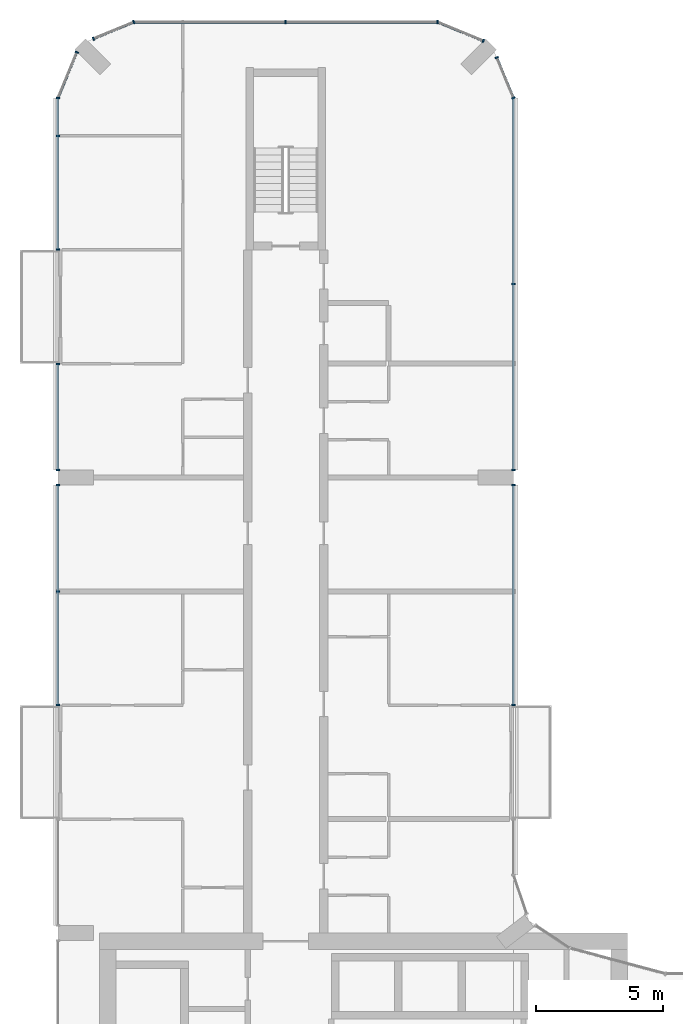
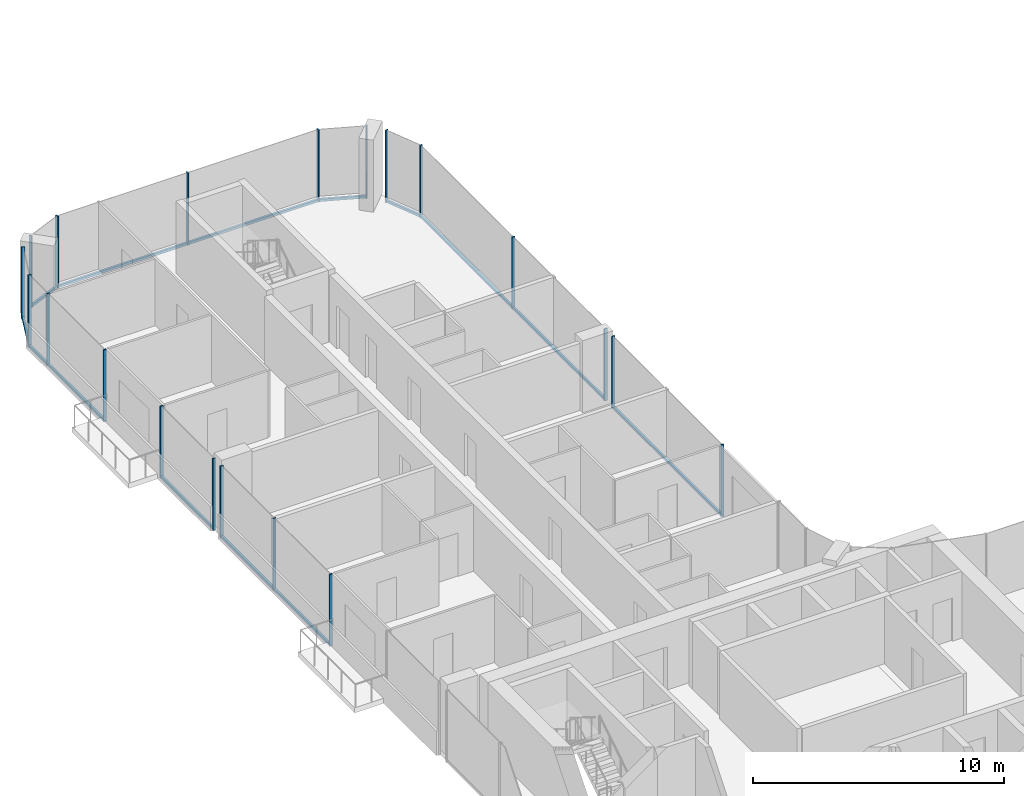
# One storey, part 6 of 22: 30 members, 10 elements without a shape of their own.
"""IFC4 building model written with IfcOpenShell, lengths in metres."""

import ifcopenshell
import ifcopenshell.guid

model = None  # the IFC model being written
_history = None  # IfcOwnerHistory: only IFC2X3 demands one
_inside = {}  # id of a spatial element -> (the spatial element, [elements in it])
_under = {}  # id of a project, library or spatial element -> (it, [spatial elements below it])
_declared = {}  # id of a project -> (the project, [libraries it declares])
_typed = {}  # id of a type object -> (the type object, [elements of that type])
_made_of = {}  # id of a material, layer set ... -> (it, [elements and type objects made of it])


def new_model(schema):
    """Start an empty IFC model of exactly this schema.

    Asked for "IFC4X3", IfcOpenShell would pick the latest addendum, in which some entities
    have other attributes; the version numbers below select the first issue.
    IFC2X3 requires an IfcOwnerHistory on every rooted entity: one is made here for all.
    """
    global model, _history
    if schema == "IFC4X3":
        model = ifcopenshell.file(schema_version=(4, 3, 0, 0))
    else:
        model = ifcopenshell.file(schema=schema)
    _inside.clear()
    _under.clear()
    _declared.clear()
    _typed.clear()
    _made_of.clear()
    _history = None
    if model.schema == "IFC2X3":
        org = make("IfcOrganization", Name="unknown")
        user = make(
            "IfcPersonAndOrganization",
            ThePerson=make("IfcPerson", FamilyName="unknown"),
            TheOrganization=org,
        )
        app = make(
            "IfcApplication",
            ApplicationDeveloper=org,
            Version="unknown",
            ApplicationFullName="unknown",
            ApplicationIdentifier="unknown",
        )
        _history = make(
            "IfcOwnerHistory",
            OwningUser=user,
            OwningApplication=app,
            ChangeAction="ADDED",
            CreationDate=0,
        )
    return model


def make(cls, **values):
    """One entity of the class cls with the attributes given. An attribute that is None is left unset."""
    return model.create_entity(
        cls, **{name: value for name, value in values.items() if value is not None}
    )


def rooted(cls, **values):
    """An entity with a GlobalId (a new one), such as an element, a storey or a relation."""
    return make(cls, GlobalId=ifcopenshell.guid.new(), OwnerHistory=_history, **values)


def si_unit(unit_type, name, prefix=None):
    """IfcSIUnit, for example si_unit("LENGTHUNIT", "METRE", prefix="MILLI")."""
    return make("IfcSIUnit", UnitType=unit_type, Prefix=prefix, Name=name)


def assignment(units):
    """IfcUnitAssignment: the units of a project."""
    return None if units is None else make("IfcUnitAssignment", Units=units)


def point(xyz):
    """IfcCartesianPoint."""
    return None if xyz is None else make("IfcCartesianPoint", Coordinates=xyz)


def direction(xyz):
    """IfcDirection."""
    return None if xyz is None else make("IfcDirection", DirectionRatios=xyz)


def frame(location, z_axis=None, x_axis=None):
    """IfcAxis2Placement3D, a coordinate frame: its origin and axes. An axis left out is left unset."""
    return make(
        "IfcAxis2Placement3D",
        Location=point(location),
        Axis=direction(z_axis),
        RefDirection=direction(x_axis),
    )


def frame_2d(location, x_axis=None):
    """IfcAxis2Placement2D, a coordinate frame in the plane: its origin and x axis."""
    return make(
        "IfcAxis2Placement2D", Location=point(location), RefDirection=direction(x_axis)
    )


def origin():
    """The frame at (0, 0, 0) with its axes left unset."""
    return frame((0.0, 0.0, 0.0))


def origin_2d():
    """The frame at (0, 0) in the plane with its x axis left unset."""
    return frame_2d((0.0, 0.0))


def place(relative_to, where):
    """IfcLocalPlacement: puts the frame where relative to a parent placement (None: the world)."""
    return make(
        "IfcLocalPlacement", PlacementRelTo=relative_to, RelativePlacement=where
    )


def context(
    kind, dimensions, precision=None, world=None, true_north=None, identifier=None
):
    """IfcGeometricRepresentationContext, for example the 3D "Model" context."""
    return make(
        "IfcGeometricRepresentationContext",
        ContextIdentifier=identifier,
        ContextType=kind,
        CoordinateSpaceDimension=dimensions,
        Precision=precision,
        WorldCoordinateSystem=world,
        TrueNorth=true_north,
    )


def subcontext(parent, identifier, kind, view, scale=None):
    """IfcGeometricRepresentationSubContext, for example "Body" below "Model"."""
    return make(
        "IfcGeometricRepresentationSubContext",
        ContextIdentifier=identifier,
        ContextType=kind,
        ParentContext=parent,
        TargetScale=scale,
        TargetView=view,
    )


def project(units=None, contexts=None):
    """IfcProject with its units and contexts."""
    return rooted(
        "IfcProject",
        Name="project",
        RepresentationContexts=contexts,
        UnitsInContext=assignment(units),
    )


def spatial(cls, under=None, at=None, **own):
    """A site, building, storey or space (cls), placed at a placement, below another one or the project."""
    s = rooted(cls, ObjectPlacement=at, **own)
    if under is not None:
        _under.setdefault(under.id(), (under, []))[1].append(s)
    return s


def profile(cls, at=None, kind="AREA", **sizes):
    """A parametric profile (cls). Its sizes go by their IFC names, for example OverallWidth=200.0."""
    return make(cls, ProfileType=kind, Position=at, **sizes)


def rectangle(**sizes):
    """IfcRectangleProfileDef."""
    return profile("IfcRectangleProfileDef", **sizes)


def extrude(swept, where, along, depth):
    """IfcExtrudedAreaSolid: the profile swept, set in the frame where, extruded along a direction by depth."""
    return make(
        "IfcExtrudedAreaSolid",
        SweptArea=swept,
        Position=where,
        ExtrudedDirection=direction(along),
        Depth=depth,
    )


def shape(context_of_items, identifier, shape_type, items):
    """IfcShapeRepresentation: the items that make up one representation, for example the "Body"."""
    return make(
        "IfcShapeRepresentation",
        ContextOfItems=context_of_items,
        RepresentationIdentifier=identifier,
        RepresentationType=shape_type,
        Items=items,
    )


def material(Name=None, Category=None):
    """IfcMaterial."""
    return make("IfcMaterial", Name=Name, Category=Category)


def layer(
    of_material, thickness, ventilated=None, Name=None, Category=None, Priority=None
):
    """IfcMaterialLayer: one layer of a wall or slab, of a material (None: an air gap)."""
    return make(
        "IfcMaterialLayer",
        Material=of_material,
        LayerThickness=thickness,
        IsVentilated=ventilated,
        Name=Name,
        Category=Category,
        Priority=Priority,
    )


def layer_set(layers, Name=None):
    """IfcMaterialLayerSet."""
    return make("IfcMaterialLayerSet", MaterialLayers=layers, LayerSetName=Name)


def material_profile(
    of_material, cross_section, Name=None, Category=None, Priority=None
):
    """IfcMaterialProfile: a cross section and its material."""
    return make(
        "IfcMaterialProfile",
        Name=Name,
        Material=of_material,
        Profile=cross_section,
        Priority=Priority,
        Category=Category,
    )


def profile_set(profiles, Name=None, composite=None):
    """IfcMaterialProfileSet."""
    return make(
        "IfcMaterialProfileSet",
        Name=Name,
        MaterialProfiles=profiles,
        CompositeProfile=composite,
    )


def made_of(thing, what):
    """Note that an element or type object is made of a material, layer set ...; save() writes the relation."""
    if what is not None:
        _made_of.setdefault(what.id(), (what, []))[1].append(thing)
    return thing


def type_object(cls, material=None, **own):
    """A type object (cls), such as IfcWallType, which elements share."""
    return made_of(rooted(cls, **own), material)


def element(
    cls,
    number,
    at=None,
    inside=None,
    cuts=None,
    type_object=None,
    material=None,
    context=None,
    identifier="Body",
    shape_type=None,
    held_by="IfcProductDefinitionShape",
    body=None,
    shapes=None,
    **own,
):
    """One element of the class cls, such as IfcWall. Its Tag is "e" and its number.

    at: its placement. inside: the storey or other place that contains it. cuts: it is an
    opening in that element (IfcRelVoidsElement). A single representation is given by context,
    identifier, shape_type and body (its items); several are given by shapes. held_by: the class
    of the entity that holds the representations. save() writes the other relations.
    """
    e = rooted(cls, Tag="e%d" % number, ObjectPlacement=at, **own)
    if body is not None:
        shapes = [shape(context, identifier, shape_type, body)]
    if shapes is not None:
        e.Representation = make(held_by, Representations=shapes)
    if inside is not None:
        _inside.setdefault(inside.id(), (inside, []))[1].append(e)
    if cuts is not None:
        rooted(
            "IfcRelVoidsElement", RelatingBuildingElement=cuts, RelatedOpeningElement=e
        )
    if type_object is not None:
        _typed.setdefault(type_object.id(), (type_object, []))[1].append(e)
    return made_of(e, material)


def aggregate(whole, parts):
    """IfcRelAggregates: a whole, such as a stair, and the parts it consists of."""
    return rooted("IfcRelAggregates", RelatingObject=whole, RelatedObjects=parts)


def save(model, path):
    """Write the relations noted so far, then the file.

    IfcRelAggregates (storeys below a building ...), IfcRelContainedInSpatialStructure (elements
    in a storey), IfcRelDefinesByType, IfcRelAssociatesMaterial and IfcRelDeclares: one each for
    every whole, place, type object, material and project.
    """
    for whole, parts in _under.values():
        aggregate(whole, parts)
    for where, things in _inside.values():
        rooted(
            "IfcRelContainedInSpatialStructure",
            RelatedElements=things,
            RelatingStructure=where,
        )
    for kind, things in _typed.values():
        rooted("IfcRelDefinesByType", RelatedObjects=things, RelatingType=kind)
    for what, things in _made_of.values():
        rooted("IfcRelAssociatesMaterial", RelatedObjects=things, RelatingMaterial=what)
    for by, libraries in _declared.values():
        rooted("IfcRelDeclares", RelatingContext=by, RelatedDefinitions=libraries)
    model.write(path)


model = new_model("IFC4")

# Units and contexts
model_context = context("Model", 3, precision=1e-05, world=origin(), true_north=direction((0.0, 1.0)))
body_context = subcontext(model_context, "Body", "Model", "MODEL_VIEW")
ifc_project = project(units=[si_unit("LENGTHUNIT", "METRE"), si_unit("AREAUNIT", "SQUARE_METRE"), si_unit("VOLUMEUNIT", "CUBIC_METRE"), si_unit("PLANEANGLEUNIT", "RADIAN"), si_unit("MASSUNIT", "GRAM", prefix="KILO")], contexts=[model_context])

# Site, building, storey
site_placement = place(None, origin())
site = spatial("IfcSite", under=ifc_project, at=site_placement, CompositionType="ELEMENT")
building_placement = place(site_placement, origin())
building = spatial("IfcBuilding", under=site, at=building_placement, Name="Plateau Cross Towers", CompositionType="ELEMENT")
storey_placement = place(building_placement, frame((0.0, 0.0, 109.800048828125)))
storey = spatial("IfcBuildingStorey", under=building, at=storey_placement, Name="L28", CompositionType="ELEMENT", Elevation=109.800048828125)

# Curtain wall, members
ifc_material_1 = material(Name="Dark low-iron glass", Category="glass")
ifc_layer = layer(ifc_material_1, 0.239990234375)
ifc_layer_set = layer_set([ifc_layer], Name="Dark low-iron glass")
curtain_wall_type = type_object("IfcCurtainWallType", Name="Curtain wall flush unitised CW-B", PredefinedType="NOTDEFINED", material=ifc_layer_set)
curtain_wall_1_placement = place(storey_placement, origin())
curtain_wall_1 = element("IfcCurtainWall", 1, at=curtain_wall_1_placement, inside=storey, type_object=curtain_wall_type, Name="ENV/A/L28/A180_270", PredefinedType="NOTDEFINED")
ifc_material_2 = material(Name="Black anodised aluminium", Category="aluminium")
ifc_material_profile_1 = material_profile(ifc_material_2, rectangle(XDim=0.06005859375, YDim=0.139892578125, at=origin_2d()), Name="MULLION 60x140")
ifc_profile_set_1 = profile_set([ifc_material_profile_1], Name="Black anodised aluminium")
member_type_1 = type_object("IfcMemberType", Name="Mullion 60x140 flush unitised", PredefinedType="MULLION", material=ifc_profile_set_1)
member_1_placement = place(storey_placement, frame((18.0, 27.010009765625, -0.25), z_axis=(0.0, 0.0, 1.0), x_axis=(0.0, 1.0, 0.0)))
member_1 = element("IfcMember", 2, at=member_1_placement, type_object=member_type_1, Name="CW-B mullion 1", PredefinedType="MULLION", context=body_context, shape_type="SweptSolid", body=[
    extrude(rectangle(XDim=0.06005859375, YDim=0.139892578125, at=origin_2d()), origin(), (0.0, 0.0, 1.0), 3.5),
])
member_2_placement = place(storey_placement, frame((18.0, 35.699951171875, -0.25), z_axis=(0.0, 0.0, 1.0), x_axis=(0.0, 1.0, 0.0)))
member_2 = element("IfcMember", 3, at=member_2_placement, type_object=member_type_1, Name="CW-B mullion 2", PredefinedType="MULLION", context=body_context, shape_type="SweptSolid", body=[
    extrude(rectangle(XDim=0.06005859375, YDim=0.139892578125, at=origin_2d()), origin(), (0.0, 0.0, 1.0), 3.5),
])

curtain_wall_2_placement = place(storey_placement, origin())
curtain_wall_2 = element("IfcCurtainWall", 4, at=curtain_wall_2_placement, inside=storey, type_object=curtain_wall_type, Name="ENV/A/L28/A180_363", PredefinedType="NOTDEFINED")
member_3_placement = place(storey_placement, frame((18.0, 36.300048828125, -0.25), z_axis=(0.0, 0.0, 1.0), x_axis=(0.0, 1.0, 0.0)))
member_3 = element("IfcMember", 5, at=member_3_placement, type_object=member_type_1, Name="CW-B mullion 1", PredefinedType="MULLION", context=body_context, shape_type="SweptSolid", body=[
    extrude(rectangle(XDim=0.06005859375, YDim=0.139892578125, at=origin_2d()), origin(), (0.0, 0.0, 1.0), 3.5),
])
member_4_placement = place(storey_placement, frame((18.0, 43.64990234375, -0.25), z_axis=(0.0, 0.0, 1.0), x_axis=(0.0, 1.0, 0.0)))
member_4 = element("IfcMember", 6, at=member_4_placement, type_object=member_type_1, Name="CW-B mullion 2", PredefinedType="MULLION", context=body_context, shape_type="SweptSolid", body=[
    extrude(rectangle(XDim=0.06005859375, YDim=0.139892578125, at=origin_2d()), origin(), (0.0, 0.0, 1.0), 3.5),
])

curtain_wall_3_placement = place(storey_placement, origin())
curtain_wall_3 = element("IfcCurtainWall", 7, at=curtain_wall_3_placement, inside=storey, type_object=curtain_wall_type, Name="ENV/A/L28/A180_510", PredefinedType="NOTDEFINED")
member_5_placement = place(storey_placement, frame((18.0, 51.0, -0.25), z_axis=(0.0, 0.0, 1.0), x_axis=(-0.382683612978, 0.923879457699, 0.0)))
member_5 = element("IfcMember", 8, at=member_5_placement, type_object=member_type_1, Name="CW-B mullion 1", PredefinedType="MULLION", context=body_context, shape_type="SweptSolid", body=[
    extrude(rectangle(XDim=0.06005859375, YDim=0.139892578125, at=origin_2d()), origin(), (0.0, 0.0, 1.0), 3.5),
])
member_6_placement = place(storey_placement, frame((17.338623046875, 52.5966796875, -0.25), z_axis=(0.0, 0.0, 1.0), x_axis=(-0.382683612978, 0.923879457699, 0.0)))
member_6 = element("IfcMember", 9, at=member_6_placement, type_object=member_type_1, Name="CW-B mullion 2", PredefinedType="MULLION", context=body_context, shape_type="SweptSolid", body=[
    extrude(rectangle(XDim=0.06005859375, YDim=0.139892578125, at=origin_2d()), origin(), (0.0, 0.0, 1.0), 3.5),
])

# Curtain wall, member
curtain_wall_4_placement = place(storey_placement, origin())
curtain_wall_4 = element("IfcCurtainWall", 10, at=curtain_wall_4_placement, inside=storey, type_object=curtain_wall_type, Name="ENV/A/L28/A168_533", PredefinedType="NOTDEFINED")
member_7_placement = place(storey_placement, frame((16.805908203125, 53.251953125, -0.25), z_axis=(0.0, 0.0, 1.0), x_axis=(-0.923879457699, 0.382683612978, 0.0)))
member_7 = element("IfcMember", 11, at=member_7_placement, type_object=member_type_1, Name="CW-B mullion 1", PredefinedType="MULLION", context=body_context, shape_type="SweptSolid", body=[
    extrude(rectangle(XDim=0.06005859375, YDim=0.139892578125, at=origin_2d()), origin(), (0.0, 0.0, 1.0), 3.5),
])

# Curtain wall, members
curtain_wall_5_placement = place(storey_placement, origin())
curtain_wall_5 = element("IfcCurtainWall", 12, at=curtain_wall_5_placement, inside=storey, type_object=curtain_wall_type, Name="ENV/A/L28/A150_540", PredefinedType="NOTDEFINED")
member_8_placement = place(storey_placement, frame((15.0, 54.0, -0.25), z_axis=(0.0, 0.0, 1.0), x_axis=(-1.0, 0.0, 0.0)))
member_8 = element("IfcMember", 13, at=member_8_placement, type_object=member_type_1, Name="CW-B mullion 1", PredefinedType="MULLION", context=body_context, shape_type="SweptSolid", body=[
    extrude(rectangle(XDim=0.06005859375, YDim=0.139892578125, at=origin_2d()), origin(), (0.0, 0.0, 1.0), 3.5),
])
member_9_placement = place(storey_placement, frame((9.0, 54.0, -0.25), z_axis=(0.0, 0.0, 1.0), x_axis=(-1.0, 0.0, 0.0)))
member_9 = element("IfcMember", 14, at=member_9_placement, type_object=member_type_1, Name="CW-B mullion 2", PredefinedType="MULLION", context=body_context, shape_type="SweptSolid", body=[
    extrude(rectangle(XDim=0.06005859375, YDim=0.139892578125, at=origin_2d()), origin(), (0.0, 0.0, 1.0), 3.5),
])

curtain_wall_6_placement = place(storey_placement, origin())
curtain_wall_6 = element("IfcCurtainWall", 15, at=curtain_wall_6_placement, inside=storey, type_object=curtain_wall_type, Name="ENV/A/L28/A30_540", PredefinedType="NOTDEFINED")
member_10_placement = place(storey_placement, frame((3.0, 54.0, -0.25), z_axis=(0.0, 0.0, 1.0), x_axis=(-0.923879457699, -0.382683612978, 0.0)))
member_10 = element("IfcMember", 16, at=member_10_placement, type_object=member_type_1, Name="CW-B mullion 1", PredefinedType="MULLION", context=body_context, shape_type="SweptSolid", body=[
    extrude(rectangle(XDim=0.06005859375, YDim=0.139892578125, at=origin_2d()), origin(), (0.0, 0.0, 1.0), 3.5),
])
member_11_placement = place(storey_placement, frame((1.4033203125, 53.338623046875, -0.25), z_axis=(0.0, 0.0, 1.0), x_axis=(-0.923879457699, -0.382683612978, 0.0)))
member_11 = element("IfcMember", 17, at=member_11_placement, type_object=member_type_1, Name="CW-B mullion 2", PredefinedType="MULLION", context=body_context, shape_type="SweptSolid", body=[
    extrude(rectangle(XDim=0.06005859375, YDim=0.139892578125, at=origin_2d()), origin(), (0.0, 0.0, 1.0), 3.5),
])

# Curtain wall, member
curtain_wall_7_placement = place(storey_placement, origin())
curtain_wall_7 = element("IfcCurtainWall", 18, at=curtain_wall_7_placement, inside=storey, type_object=curtain_wall_type, Name="ENV/A/L28/A7_528", PredefinedType="NOTDEFINED")
member_12_placement = place(storey_placement, frame((0.748046875, 52.805908203125, -0.25), z_axis=(0.0, 0.0, 1.0), x_axis=(-0.382683612978, -0.923879457699, 0.0)))
member_12 = element("IfcMember", 19, at=member_12_placement, type_object=member_type_1, Name="CW-B mullion 1", PredefinedType="MULLION", context=body_context, shape_type="SweptSolid", body=[
    extrude(rectangle(XDim=0.06005859375, YDim=0.139892578125, at=origin_2d()), origin(), (0.0, 0.0, 1.0), 3.5),
])

# Curtain wall, members
curtain_wall_8_placement = place(storey_placement, origin())
curtain_wall_8 = element("IfcCurtainWall", 20, at=curtain_wall_8_placement, inside=storey, type_object=curtain_wall_type, Name="ENV/A/L28/A0_510", PredefinedType="NOTDEFINED")
member_13_placement = place(storey_placement, frame((0.0, 51.0, -0.25), z_axis=(0.0, 0.0, 1.0), x_axis=(0.0, -1.0, 0.0)))
member_13 = element("IfcMember", 21, at=member_13_placement, type_object=member_type_1, Name="CW-B mullion 1", PredefinedType="MULLION", context=body_context, shape_type="SweptSolid", body=[
    extrude(rectangle(XDim=0.06005859375, YDim=0.139892578125, at=origin_2d()), origin(), (0.0, 0.0, 1.0), 3.5),
])
member_14_placement = place(storey_placement, frame((0.0, 49.5, -0.25), z_axis=(0.0, 0.0, 1.0), x_axis=(0.0, -1.0, 0.0)))
member_14 = element("IfcMember", 22, at=member_14_placement, type_object=member_type_1, Name="CW-B mullion 2", PredefinedType="MULLION", context=body_context, shape_type="SweptSolid", body=[
    extrude(rectangle(XDim=0.06005859375, YDim=0.139892578125, at=origin_2d()), origin(), (0.0, 0.0, 1.0), 3.5),
])
member_15_placement = place(storey_placement, frame((0.0, 45.010009765625, -0.25), z_axis=(0.0, 0.0, 1.0), x_axis=(0.0, -1.0, 0.0)))
member_15 = element("IfcMember", 23, at=member_15_placement, type_object=member_type_1, Name="CW-B mullion 3", PredefinedType="MULLION", context=body_context, shape_type="SweptSolid", body=[
    extrude(rectangle(XDim=0.06005859375, YDim=0.139892578125, at=origin_2d()), origin(), (0.0, 0.0, 1.0), 3.5),
])

curtain_wall_9_placement = place(storey_placement, origin())
curtain_wall_9 = element("IfcCurtainWall", 24, at=curtain_wall_9_placement, inside=storey, type_object=curtain_wall_type, Name="ENV/A/L28/A0_405", PredefinedType="NOTDEFINED")
member_16_placement = place(storey_placement, frame((0.0, 40.489990234375, -0.25), z_axis=(0.0, 0.0, 1.0), x_axis=(0.0, -1.0, 0.0)))
member_16 = element("IfcMember", 25, at=member_16_placement, type_object=member_type_1, Name="CW-B mullion 1", PredefinedType="MULLION", context=body_context, shape_type="SweptSolid", body=[
    extrude(rectangle(XDim=0.06005859375, YDim=0.139892578125, at=origin_2d()), origin(), (0.0, 0.0, 1.0), 3.5),
])
member_17_placement = place(storey_placement, frame((0.0, 36.300048828125, -0.25), z_axis=(0.0, 0.0, 1.0), x_axis=(0.0, -1.0, 0.0)))
member_17 = element("IfcMember", 26, at=member_17_placement, type_object=member_type_1, Name="CW-B mullion 2", PredefinedType="MULLION", context=body_context, shape_type="SweptSolid", body=[
    extrude(rectangle(XDim=0.06005859375, YDim=0.139892578125, at=origin_2d()), origin(), (0.0, 0.0, 1.0), 3.5),
])

curtain_wall_10_placement = place(storey_placement, origin())
curtain_wall_10 = element("IfcCurtainWall", 27, at=curtain_wall_10_placement, inside=storey, type_object=curtain_wall_type, Name="ENV/A/L28/A0_357", PredefinedType="NOTDEFINED")
member_18_placement = place(storey_placement, frame((0.0, 35.699951171875, -0.25), z_axis=(0.0, 0.0, 1.0), x_axis=(0.0, -1.0, 0.0)))
member_18 = element("IfcMember", 28, at=member_18_placement, type_object=member_type_1, Name="CW-B mullion 1", PredefinedType="MULLION", context=body_context, shape_type="SweptSolid", body=[
    extrude(rectangle(XDim=0.06005859375, YDim=0.139892578125, at=origin_2d()), origin(), (0.0, 0.0, 1.0), 3.5),
])
member_19_placement = place(storey_placement, frame((0.0, 31.5, -0.25), z_axis=(0.0, 0.0, 1.0), x_axis=(0.0, -1.0, 0.0)))
member_19 = element("IfcMember", 29, at=member_19_placement, type_object=member_type_1, Name="CW-B mullion 2", PredefinedType="MULLION", context=body_context, shape_type="SweptSolid", body=[
    extrude(rectangle(XDim=0.06005859375, YDim=0.139892578125, at=origin_2d()), origin(), (0.0, 0.0, 1.0), 3.5),
])
member_20_placement = place(storey_placement, frame((0.0, 27.010009765625, -0.25), z_axis=(0.0, 0.0, 1.0), x_axis=(0.0, -1.0, 0.0)))
member_20 = element("IfcMember", 30, at=member_20_placement, type_object=member_type_1, Name="CW-B mullion 3", PredefinedType="MULLION", context=body_context, shape_type="SweptSolid", body=[
    extrude(rectangle(XDim=0.06005859375, YDim=0.139892578125, at=origin_2d()), origin(), (0.0, 0.0, 1.0), 3.5),
])

# Member
ifc_material_profile_2 = material_profile(ifc_material_2, rectangle(XDim=0.10009765625, YDim=0.1201171875, at=origin_2d()), Name="TRANSOM 100x120")
ifc_profile_set_2 = profile_set([ifc_material_profile_2], Name="Black anodised aluminium")
member_type_2 = type_object("IfcMemberType", Name="Transom 100x120 flush unitised", PredefinedType="USERDEFINED", material=ifc_profile_set_2)
member_21_placement = place(storey_placement, frame((18.0, 27.010009765625, -0.18994140625), z_axis=(0.0, 1.0, 0.0), x_axis=(-1.0, 0.0, 0.0)))
member_21 = element("IfcMember", 31, at=member_21_placement, type_object=member_type_2, Name="CW-B transom", ObjectType="TRANSOM", PredefinedType="USERDEFINED", context=body_context, shape_type="SweptSolid", body=[
    extrude(rectangle(XDim=0.10009765625, YDim=0.1201171875, at=origin_2d()), origin(), (0.0, 0.0, 1.0), 8.68994140625),
])

aggregate(curtain_wall_1, [member_1, member_2, member_21])

member_22_placement = place(storey_placement, frame((18.0, 36.300048828125, -0.18994140625), z_axis=(0.0, 1.0, 0.0), x_axis=(-1.0, 0.0, 0.0)))
member_22 = element("IfcMember", 32, at=member_22_placement, type_object=member_type_2, Name="CW-B transom", ObjectType="TRANSOM", PredefinedType="USERDEFINED", context=body_context, shape_type="SweptSolid", body=[
    extrude(rectangle(XDim=0.10009765625, YDim=0.1201171875, at=origin_2d()), origin(), (0.0, 0.0, 1.0), 14.699951171875),
])

aggregate(curtain_wall_2, [member_3, member_4, member_22])

member_23_placement = place(storey_placement, frame((18.0, 51.0, -0.18994140625), z_axis=(-0.382688653628, 0.923877369776, 0.0), x_axis=(-0.923877369776, -0.382688653628, 0.0)))
member_23 = element("IfcMember", 33, at=member_23_placement, type_object=member_type_2, Name="CW-B transom", ObjectType="TRANSOM", PredefinedType="USERDEFINED", context=body_context, shape_type="SweptSolid", body=[
    extrude(rectangle(XDim=0.10009765625, YDim=0.1201171875, at=origin_2d()), origin(), (0.0, 0.0, 1.0), 1.728271484375),
])

aggregate(curtain_wall_3, [member_5, member_6, member_23])

member_24_placement = place(storey_placement, frame((16.805908203125, 53.251953125, -0.18994140625), z_axis=(-0.92387678234, 0.382690071798, 0.0), x_axis=(-0.382690071798, -0.92387678234, 0.0)))
member_24 = element("IfcMember", 34, at=member_24_placement, type_object=member_type_2, Name="CW-B transom", ObjectType="TRANSOM", PredefinedType="USERDEFINED", context=body_context, shape_type="SweptSolid", body=[
    extrude(rectangle(XDim=0.10009765625, YDim=0.1201171875, at=origin_2d()), origin(), (0.0, 0.0, 1.0), 1.95458984375),
])

aggregate(curtain_wall_4, [member_7, member_24])

member_25_placement = place(storey_placement, frame((15.0, 54.0, -0.18994140625), z_axis=(-1.0, 0.0, 0.0), x_axis=(0.0, -1.0, 0.0)))
member_25 = element("IfcMember", 35, at=member_25_placement, type_object=member_type_2, Name="CW-B transom", ObjectType="TRANSOM", PredefinedType="USERDEFINED", context=body_context, shape_type="SweptSolid", body=[
    extrude(rectangle(XDim=0.10009765625, YDim=0.1201171875, at=origin_2d()), origin(), (0.0, 0.0, 1.0), 12.0),
])

aggregate(curtain_wall_5, [member_8, member_9, member_25])

member_26_placement = place(storey_placement, frame((3.0, 54.0, -0.18994140625), z_axis=(-0.923877369776, -0.382688653628, 0.0), x_axis=(0.382688653628, -0.923877369776, 0.0)))
member_26 = element("IfcMember", 36, at=member_26_placement, type_object=member_type_2, Name="CW-B transom", ObjectType="TRANSOM", PredefinedType="USERDEFINED", context=body_context, shape_type="SweptSolid", body=[
    extrude(rectangle(XDim=0.10009765625, YDim=0.1201171875, at=origin_2d()), origin(), (0.0, 0.0, 1.0), 1.728271484375),
])

aggregate(curtain_wall_6, [member_10, member_11, member_26])

member_27_placement = place(storey_placement, frame((0.748046875, 52.805908203125, -0.18994140625), z_axis=(-0.382690071798, -0.92387678234, 0.0), x_axis=(0.92387678234, -0.382690071798, 0.0)))
member_27 = element("IfcMember", 37, at=member_27_placement, type_object=member_type_2, Name="CW-B transom", ObjectType="TRANSOM", PredefinedType="USERDEFINED", context=body_context, shape_type="SweptSolid", body=[
    extrude(rectangle(XDim=0.10009765625, YDim=0.1201171875, at=origin_2d()), origin(), (0.0, 0.0, 1.0), 1.95458984375),
])

aggregate(curtain_wall_7, [member_12, member_27])

member_28_placement = place(storey_placement, frame((0.0, 51.0, -0.18994140625), z_axis=(0.0, -1.0, 0.0), x_axis=(1.0, 0.0, 0.0)))
member_28 = element("IfcMember", 38, at=member_28_placement, type_object=member_type_2, Name="CW-B transom", ObjectType="TRANSOM", PredefinedType="USERDEFINED", context=body_context, shape_type="SweptSolid", body=[
    extrude(rectangle(XDim=0.10009765625, YDim=0.1201171875, at=origin_2d()), origin(), (0.0, 0.0, 1.0), 5.989990234375),
])

aggregate(curtain_wall_8, [member_13, member_14, member_15, member_28])

member_29_placement = place(storey_placement, frame((0.0, 40.489990234375, -0.18994140625), z_axis=(0.0, -1.0, 0.0), x_axis=(1.0, 0.0, 0.0)))
member_29 = element("IfcMember", 39, at=member_29_placement, type_object=member_type_2, Name="CW-B transom", ObjectType="TRANSOM", PredefinedType="USERDEFINED", context=body_context, shape_type="SweptSolid", body=[
    extrude(rectangle(XDim=0.10009765625, YDim=0.1201171875, at=origin_2d()), origin(), (0.0, 0.0, 1.0), 4.18994140625),
])

aggregate(curtain_wall_9, [member_16, member_17, member_29])

member_30_placement = place(storey_placement, frame((0.0, 35.699951171875, -0.18994140625), z_axis=(0.0, -1.0, 0.0), x_axis=(1.0, 0.0, 0.0)))
member_30 = element("IfcMember", 40, at=member_30_placement, type_object=member_type_2, Name="CW-B transom", ObjectType="TRANSOM", PredefinedType="USERDEFINED", context=body_context, shape_type="SweptSolid", body=[
    extrude(rectangle(XDim=0.10009765625, YDim=0.1201171875, at=origin_2d()), origin(), (0.0, 0.0, 1.0), 8.68994140625),
])

aggregate(curtain_wall_10, [member_18, member_19, member_20, member_30])

save(model, "model.ifc")
